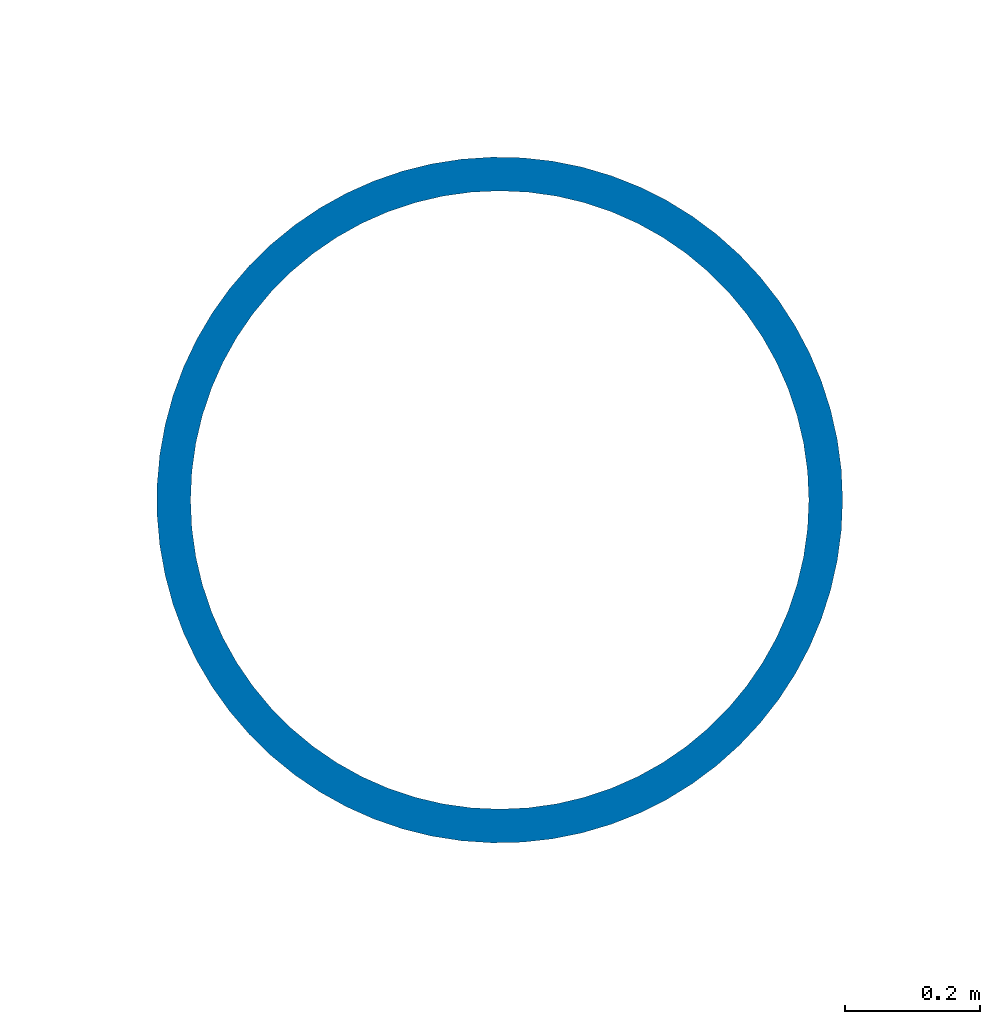
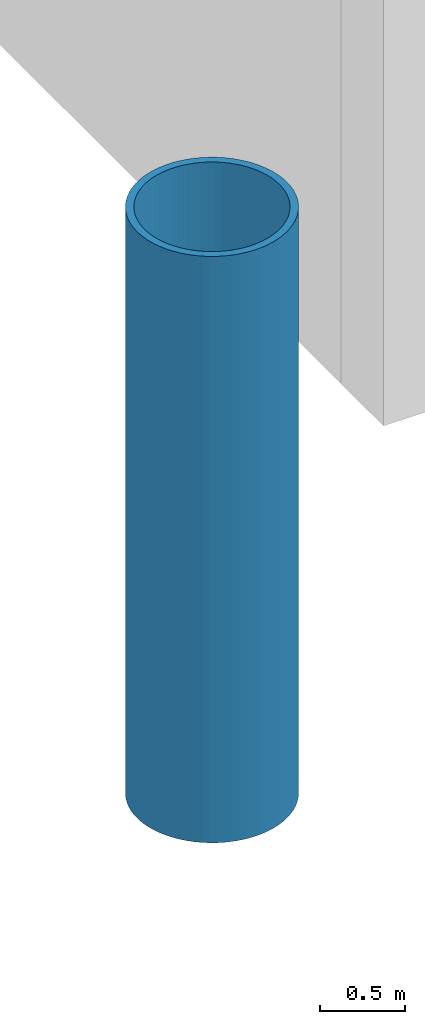
# One storey, part 3 of 96: 1 column.
"""IFC4 building model written with IfcOpenShell, lengths in metres."""

from ifc_helpers import new_model, si_unit, direction, frame, origin, origin_2d, place, context, subcontext, project, spatial, hollow_circle, extrude, material, material_profile, profile_set, type_object, element, save


model = new_model("IFC4")

# Units and contexts
model_context = context("Model", 3, precision=1e-05, world=origin(), true_north=direction((0.0, 1.0)))
body_context = subcontext(model_context, "Body", "Model", "MODEL_VIEW")
ifc_project = project(units=[si_unit("LENGTHUNIT", "METRE"), si_unit("AREAUNIT", "SQUARE_METRE"), si_unit("VOLUMEUNIT", "CUBIC_METRE"), si_unit("PLANEANGLEUNIT", "RADIAN"), si_unit("MASSUNIT", "GRAM", prefix="KILO")], contexts=[model_context])

# Site, building, storey
site_placement = place(None, origin())
site = spatial("IfcSite", under=ifc_project, at=site_placement, CompositionType="ELEMENT")
building_placement = place(site_placement, origin())
building = spatial("IfcBuilding", under=site, at=building_placement, Name="Cresset Court Congress Hotel", CompositionType="ELEMENT")
storey_placement = place(building_placement, frame((0.0, 0.0, 6.0)))
storey = spatial("IfcBuildingStorey", under=building, at=storey_placement, Name="L01", CompositionType="ELEMENT", Elevation=6.0)

# Column
ifc_material = material(Name="Structural steel Q355B", Category="steel")
ifc_material_profile = material_profile(ifc_material, hollow_circle(Radius=0.508056640625, WallThickness=0.050048828125, at=origin_2d()), Name="CHS1016x50")
ifc_profile_set = profile_set([ifc_material_profile], Name="Structural steel Q355B")
column_type = type_object("IfcColumnType", Name="Mast tube 1016x50", PredefinedType="COLUMN", material=ifc_profile_set)
column_placement = place(storey_placement, frame((55.800048828125, 55.800048828125, 0.0), z_axis=(0.0, 0.0, 1.0), x_axis=(1.0, 0.0, 0.0)))
element("IfcColumn", 1, at=column_placement, inside=storey, type_object=column_type, Name="Mast M1", PredefinedType="COLUMN", context=body_context, shape_type="SweptSolid", body=[
    extrude(hollow_circle(Radius=0.508056640625, WallThickness=0.050048828125, at=origin_2d()), origin(), (0.0, 0.0, 1.0), 4.199951171875),
])

save(model, "model.ifc")
